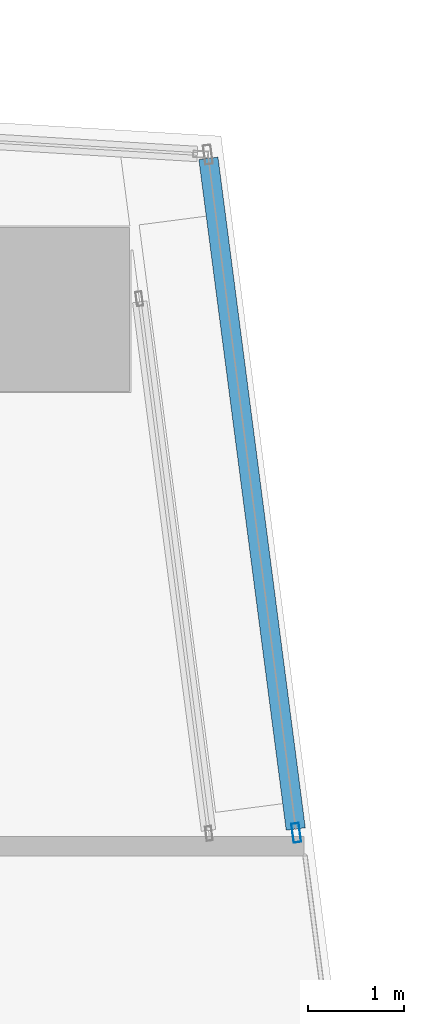
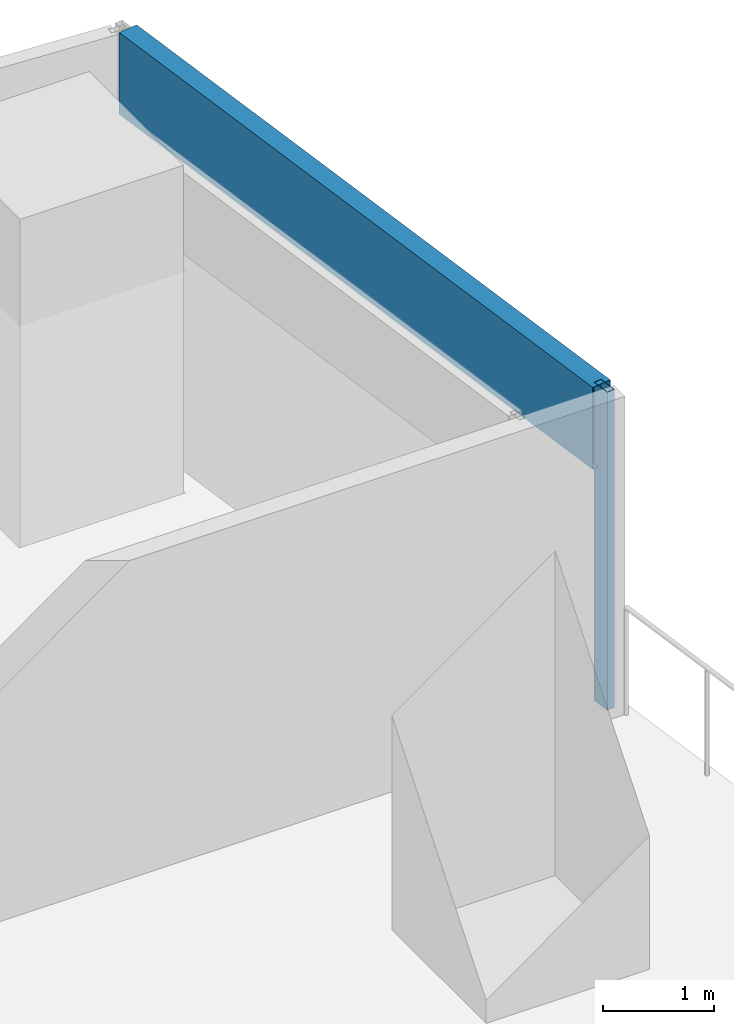
# One storey, part 26 of 40: 2 members, 1 element without a shape of its own.
"""IFC4 building model written with IfcOpenShell, lengths in metres."""

from ifc_helpers import new_model, si_unit, direction, frame, origin, origin_2d, place, context, subcontext, project, spatial, hollow_rectangle, extrude, material, material_profile, profile_set, type_object, element, aggregate, save


model = new_model("IFC4")

# Units and contexts
model_context = context("Model", 3, precision=1e-05, world=origin(), true_north=direction((0.0, 1.0)))
body_context = subcontext(model_context, "Body", "Model", "MODEL_VIEW")
ifc_project = project(units=[si_unit("LENGTHUNIT", "METRE"), si_unit("AREAUNIT", "SQUARE_METRE"), si_unit("VOLUMEUNIT", "CUBIC_METRE"), si_unit("PLANEANGLEUNIT", "RADIAN"), si_unit("MASSUNIT", "GRAM", prefix="KILO")], contexts=[model_context])

# Site, building, storey
site_placement = place(None, origin())
site = spatial("IfcSite", under=ifc_project, at=site_placement, CompositionType="ELEMENT")
building_placement = place(site_placement, origin())
building = spatial("IfcBuilding", under=site, at=building_placement, Name="Rekha Terrace Tower", CompositionType="ELEMENT")
storey_placement = place(building_placement, frame((0.0, 0.0, 99.050048828125)))
storey = spatial("IfcBuildingStorey", under=building, at=storey_placement, Name="L24", CompositionType="ELEMENT", Elevation=99.050048828125)

# Curtain wall, members
ifc_material_1 = material(Name="Aluminium framing", Category="aluminium")
curtain_wall_type = type_object("IfcCurtainWallType", Name="CW2 double skin outer glazing", PredefinedType="USERDEFINED", material=ifc_material_1)
curtain_wall_placement = place(storey_placement, origin())
curtain_wall = element("IfcCurtainWall", 1, at=curtain_wall_placement, inside=storey, type_object=curtain_wall_type, Name="CW2 double skin outer glazing", ObjectType="DOUBLE SKIN OUTER GLAZING", PredefinedType="USERDEFINED")
ifc_material_2 = material(Name="Aluminium mullion section", Category="aluminium")
ifc_material_profile_1 = material_profile(ifc_material_2, hollow_rectangle(XDim=0.080078125, YDim=0.199951171875, WallThickness=0.00390625, at=origin_2d()), Name="AL RHS 80x200")
ifc_profile_set_1 = profile_set([ifc_material_profile_1], Name="Aluminium mullion section")
member_type_1 = type_object("IfcMemberType", Name="CW2 mullion RHS 80 x 200", PredefinedType="MULLION", material=ifc_profile_set_1)
member_1_placement = place(storey_placement, frame((69.78076171875, 53.36474609375, 0.0), z_axis=(0.0, 0.0, 1.0), x_axis=(-0.991629186232, -0.12911838371, 0.0)))
member_1 = element("IfcMember", 2, at=member_1_placement, type_object=member_type_1, Name="CW2 mullion 1", PredefinedType="MULLION", context=body_context, shape_type="SweptSolid", body=[
    extrude(hollow_rectangle(XDim=0.080078125, YDim=0.199951171875, WallThickness=0.00390625, at=origin_2d()), origin(), (0.0, 0.0, 1.0), 3.5),
])
ifc_material_3 = material(Name="Insulated aluminium spandrel box", Category="aluminium")
ifc_material_profile_2 = material_profile(ifc_material_3, hollow_rectangle(XDim=0.199951171875, YDim=0.89990234375, WallThickness=0.0029296875, at=origin_2d()), Name="AL SPANDREL BOX 200x900")
ifc_profile_set_2 = profile_set([ifc_material_profile_2], Name="Insulated aluminium spandrel box")
member_type_2 = type_object("IfcMemberType", Name="CW2 spandrel transom 200 x 900", PredefinedType="USERDEFINED", material=ifc_profile_set_2)
member_2_placement = place(storey_placement, frame((69.775634765625, 53.404296875, 3.050048828125), z_axis=(-0.129137076594, 0.991626752084, 0.0), x_axis=(-0.991626752084, -0.129137076594, 0.0)))
member_2 = element("IfcMember", 3, at=member_2_placement, type_object=member_type_2, Name="CW2 spandrel transom 1", ObjectType="TRANSOM", PredefinedType="USERDEFINED", context=body_context, shape_type="SweptSolid", body=[
    extrude(hollow_rectangle(XDim=0.199951171875, YDim=0.89990234375, WallThickness=0.0029296875, at=origin_2d()), origin(), (0.0, 0.0, 1.0), 7.0234375),
])
aggregate(curtain_wall, [member_1, member_2])

save(model, "model.ifc")
